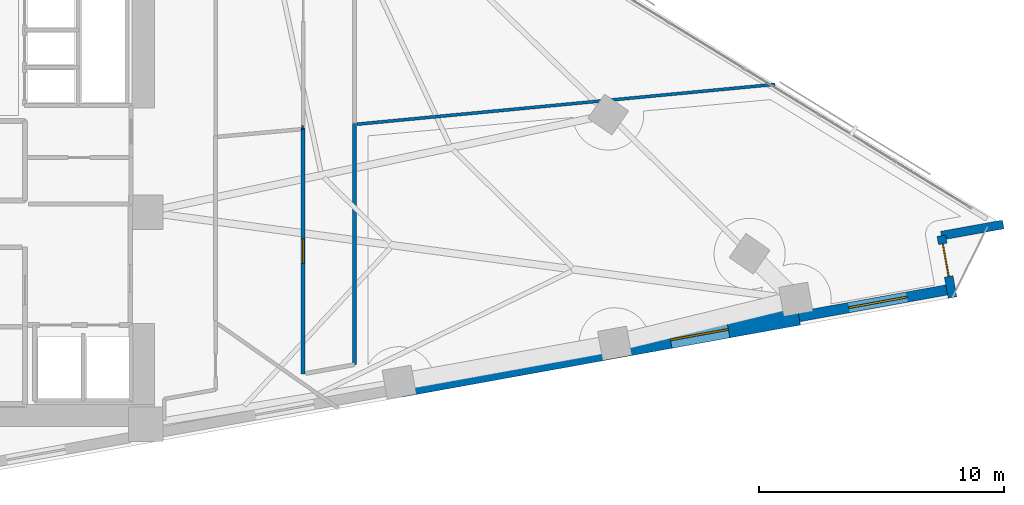
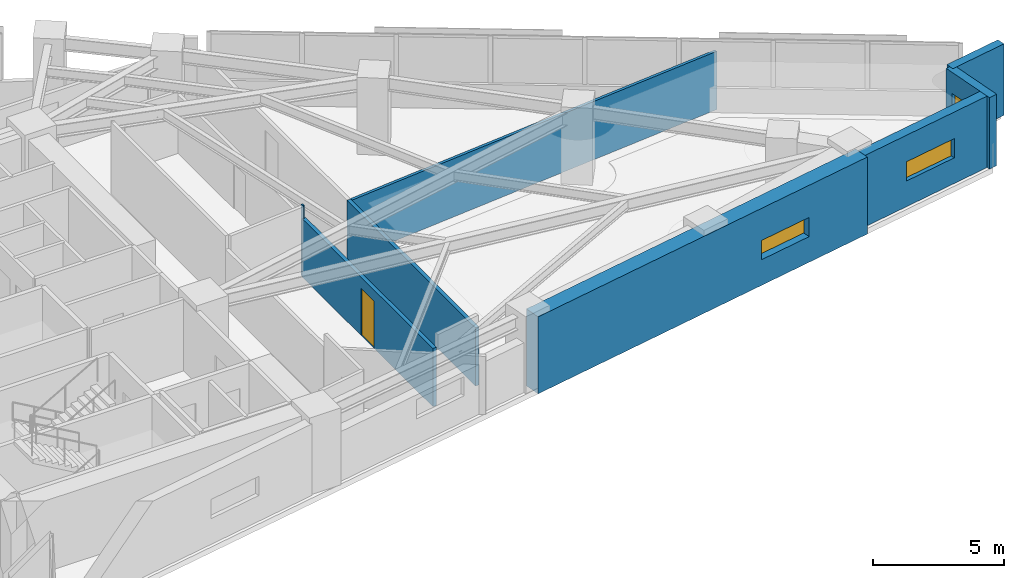
# One storey, part 15 of 18: 8 walls, 2 doors, 2 windows, 4 openings.
"""IFC4 building model written with IfcOpenShell, lengths in metres."""

from ifc_helpers import new_model, si_unit, direction, frame, frame_2d, origin, place, context, subcontext, project, spatial, rectangle, extrude, material, layer, layer_set, type_object, element, fill, save


model = new_model("IFC4")

# Units and contexts
model_context = context("Model", 3, precision=1e-05, world=origin(), true_north=direction((0.0, 1.0)))
body_context = subcontext(model_context, "Body", "Model", "MODEL_VIEW")
ifc_project = project(units=[si_unit("LENGTHUNIT", "METRE"), si_unit("AREAUNIT", "SQUARE_METRE"), si_unit("VOLUMEUNIT", "CUBIC_METRE"), si_unit("PLANEANGLEUNIT", "RADIAN"), si_unit("MASSUNIT", "GRAM", prefix="KILO")], contexts=[model_context])

# Site, building, storey
site_placement = place(None, origin())
site = spatial("IfcSite", under=ifc_project, at=site_placement, CompositionType="ELEMENT")
building_placement = place(site_placement, origin())
building = spatial("IfcBuilding", under=site, at=building_placement, Name="Narakoshi Arena Tower", CompositionType="ELEMENT")
storey_placement = place(building_placement, frame((0.0, 0.0, 102.89990234375)))
storey = spatial("IfcBuildingStorey", under=building, at=storey_placement, Name="L27", CompositionType="ELEMENT", Elevation=102.89990234375)

# Wall, opening, door
ifc_material_1 = material(Name="Gypsum plasterboard fire-rated partition")
ifc_layer_1 = layer(ifc_material_1, 0.1650390625)
ifc_layer_set_1 = layer_set([ifc_layer_1], Name="Gypsum plasterboard fire-rated partition")
wall_type_1 = type_object("IfcWallType", Name="WL-CORR-165", PredefinedType="PARTITIONING", material=ifc_layer_set_1)
wall_1_placement = place(storey_placement, frame((91.9736328125, 46.775390625, 0.0), z_axis=(0.0, 0.0, 1.0), x_axis=(0.0, -1.0, 0.0)))
wall_1 = element("IfcWall", 1, at=wall_1_placement, inside=storey, type_object=wall_type_1, Name="L27 Corridor Partition 04-1", PredefinedType="PARTITIONING", context=body_context, shape_type="SweptSolid", body=[
    extrude(rectangle(XDim=10.025146484375, YDim=0.1650390625, at=frame_2d((5.0126953125, 0.0))), origin(), (0.0, 0.0, 1.0), 2.72509765625),
])
opening_1_placement = place(wall_1_placement, frame((4.512451171875, 0.0, 0.0)))
opening_1 = element("IfcOpeningElement", 2, at=opening_1_placement, cuts=wall_1, Name="Opening D-06", PredefinedType="OPENING", context=body_context, shape_type="SweptSolid", body=[
    extrude(rectangle(XDim=1.0, YDim=2.199951171875, at=frame_2d((0.5, 1.10009765625))), frame((0.0, 0.092529296875, 0.0), z_axis=(0.0, -1.0, 0.0), x_axis=(1.0, 0.0, 0.0)), (0.0, 0.0, 1.0), 0.18505859375),
])
ifc_material_2 = material(Name="Stained oak solid-core timber", Category="wood")
door_type_1 = type_object("IfcDoorType", Name="DR-OFF-1000", OperationType="NOTDEFINED", PredefinedType="DOOR", material=ifc_material_2)
door_1_placement = place(opening_1_placement, frame((1.0, 0.0, 0.0), z_axis=(0.0, 0.0, 1.0), x_axis=(-1.0, 0.0, 0.0)))
door_1 = element("IfcDoor", 3, at=door_1_placement, inside=storey, type_object=door_type_1, Name="DR-L27-018", OperationType="SINGLE_SWING_RIGHT", OverallHeight=2.199951171875, OverallWidth=1.0, PredefinedType="DOOR", context=body_context, shape_type="SweptSolid", body=[
    extrude(rectangle(XDim=1.0, YDim=2.199951171875, at=frame_2d((0.5, 1.10009765625))), frame((0.0, 0.02490234375, 0.0), z_axis=(0.0, -1.0, 0.0), x_axis=(1.0, 0.0, 0.0)), (0.0, 0.0, 1.0), 0.050048828125),
])
fill(opening_1, door_1)

# Wall
wall_2_placement = place(storey_placement, frame((94.07373046875, 37.130126953125, 0.0), z_axis=(0.0, 0.0, 1.0), x_axis=(0.0, 1.0, 0.0)))
element("IfcWall", 4, at=wall_2_placement, inside=storey, type_object=wall_type_1, Name="L27 Corridor Partition 04-2", PredefinedType="PARTITIONING", context=body_context, shape_type="SweptSolid", body=[
    extrude(rectangle(XDim=9.83447265625, YDim=0.1650390625, at=frame_2d((4.917236328125, 0.0))), origin(), (0.0, 0.0, 1.0), 2.72509765625),
])

# Wall, opening, window
ifc_material_3 = material(Name="Concrete C60/75", Category="concrete")
ifc_layer_2 = layer(ifc_material_3, 0.699951171875)
ifc_layer_set_2 = layer_set([ifc_layer_2], Name="Concrete C60/75")
wall_type_2 = type_object("IfcWallType", Name="WL-LEG-700", PredefinedType="SHEAR", material=ifc_layer_set_2)
wall_3_placement = place(storey_placement, frame((95.93798828125, 36.14599609375, -0.260009765625), z_axis=(0.0, 0.0, 1.0), x_axis=(0.984038488288, 0.177955762952, 0.0)))
wall_3 = element("IfcWall", 5, at=wall_3_placement, inside=storey, type_object=wall_type_2, Name="L27 Architectural Concrete Structural Wall LEGA-3", PredefinedType="SHEAR", context=body_context, shape_type="SweptSolid", body=[
    extrude(rectangle(XDim=16.524658203125, YDim=0.699951171875, at=frame_2d((8.26220703125, 0.0))), origin(), (0.0, 0.0, 1.0), 3.60009765625),
])
opening_2_placement = place(wall_3_placement, frame((11.199951171875, 0.0, 1.199951171875)))
opening_2 = element("IfcOpeningElement", 6, at=opening_2_placement, cuts=wall_3, Name="Opening WN-01", PredefinedType="OPENING", context=body_context, shape_type="SweptSolid", body=[
    extrude(rectangle(XDim=2.39990234375, YDim=0.89990234375, at=frame_2d((1.199951171875, 0.449951171875))), frame((0.0, 0.35986328125, 0.0), z_axis=(0.0, -1.0, 0.0), x_axis=(1.0, 0.0, 0.0)), (0.0, 0.0, 1.0), 0.719970703125),
])
ifc_material_4 = material(Name="Bronze-tinted low-E laminated glass", Category="glass")
window_type = type_object("IfcWindowType", Name="WIN-SLT-24x09", PartitioningType="SINGLE_PANEL", PredefinedType="WINDOW", material=ifc_material_4)
window_1_placement = place(opening_2_placement, origin())
window_1 = element("IfcWindow", 7, at=window_1_placement, inside=storey, type_object=window_type, Name="L27 LEGA3 Horizontal Slot Window 1", OverallHeight=0.89990234375, OverallWidth=2.39990234375, PartitioningType="SINGLE_PANEL", PredefinedType="WINDOW", context=body_context, shape_type="SweptSolid", body=[
    extrude(rectangle(XDim=2.39990234375, YDim=0.89990234375, at=frame_2d((1.199951171875, 0.449951171875))), frame((0.0, 0.030029296875, 0.0), z_axis=(0.0, -1.0, 0.0), x_axis=(1.0, 0.0, 0.0)), (0.0, 0.0, 1.0), 0.06005859375),
])
fill(opening_2, window_1)

# Wall
ifc_layer_3 = layer(ifc_material_1, 0.125)
ifc_layer_set_3 = layer_set([ifc_layer_3], Name="Gypsum plasterboard fire-rated partition")
wall_type_3 = type_object("IfcWallType", Name="WL-PART-125", PredefinedType="PARTITIONING", material=ifc_layer_set_3)
wall_4_placement = place(storey_placement, frame((94.168212890625, 46.937744140625, 0.0), z_axis=(0.0, 0.0, 1.0), x_axis=(0.995492462664, 0.094840691577, 0.0)))
element("IfcWall", 8, at=wall_4_placement, inside=storey, type_object=wall_type_3, Name="L27 Inter-Room Partition 04-05", PredefinedType="PARTITIONING", context=body_context, shape_type="SweptSolid", body=[
    extrude(rectangle(XDim=17.136474609375, YDim=0.125, at=frame_2d((8.568359375, 0.0))), origin(), (0.0, 0.0, 1.0), 2.72509765625),
])

# Wall, opening, window
ifc_material_5 = material(Name="Precast concrete C45/55", Category="concrete")
ifc_layer_4 = layer(ifc_material_5, 0.419921875)
ifc_layer_set_4 = layer_set([ifc_layer_4], Name="Precast concrete C45/55")
wall_type_4 = type_object("IfcWallType", Name="WL-POD-420", PredefinedType="SOLIDWALL", material=ifc_layer_set_4)
wall_5_placement = place(storey_placement, frame((112.198974609375, 39.086669921875, 0.0), z_axis=(0.0, 0.0, 1.0), x_axis=(0.984042888215, 0.177931431042, 0.0)))
wall_5 = element("IfcWall", 9, at=wall_5_placement, inside=storey, type_object=wall_type_4, Name="L27 Architectural Concrete Facade Wall LEGA-4", PredefinedType="SOLIDWALL", context=body_context, shape_type="SweptSolid", body=[
    extrude(rectangle(XDim=6.30615234375, YDim=0.419921875, at=frame_2d((3.153076171875, 0.0))), origin(), (0.0, 0.0, 1.0), 3.340087890625),
])
opening_3_placement = place(wall_5_placement, frame((2.0751953125, 0.0, 1.199951171875)))
opening_3 = element("IfcOpeningElement", 10, at=opening_3_placement, cuts=wall_5, Name="Opening WN-01", PredefinedType="OPENING", context=body_context, shape_type="SweptSolid", body=[
    extrude(rectangle(XDim=2.39990234375, YDim=0.89990234375, at=frame_2d((1.199951171875, 0.449951171875))), frame((0.0, 0.219970703125, 0.0), z_axis=(0.0, -1.0, 0.0), x_axis=(1.0, 0.0, 0.0)), (0.0, 0.0, 1.0), 0.43994140625),
])
window_2_placement = place(opening_3_placement, origin())
window_2 = element("IfcWindow", 11, at=window_2_placement, inside=storey, type_object=window_type, Name="L27 LEGA4 Horizontal Slot Window 1", OverallHeight=0.89990234375, OverallWidth=2.39990234375, PartitioningType="SINGLE_PANEL", PredefinedType="WINDOW", context=body_context, shape_type="SweptSolid", body=[
    extrude(rectangle(XDim=2.39990234375, YDim=0.89990234375, at=frame_2d((1.199951171875, 0.449951171875))), frame((0.0, 0.030029296875, 0.0), z_axis=(0.0, -1.0, 0.0), x_axis=(1.0, 0.0, 0.0)), (0.0, 0.0, 1.0), 0.06005859375),
])
fill(opening_3, window_2)

# Wall, opening, door
wall_6_placement = place(storey_placement, frame((118.466796875, 39.8642578125, 0.0), z_axis=(0.0, 0.0, 1.0), x_axis=(-0.177897493713, 0.984049024048, 0.0)))
wall_6 = element("IfcWall", 12, at=wall_6_placement, inside=storey, type_object=wall_type_4, Name="L27 Re-Entrant Corner Notch Wall NTE-1", PredefinedType="SOLIDWALL", context=body_context, shape_type="SweptSolid", body=[
    extrude(rectangle(XDim=2.56640625, YDim=0.360107421875, at=frame_2d((1.283203125, 0.0))), origin(), (0.0, 0.0, 1.0), 3.340087890625),
])
opening_4_placement = place(wall_6_placement, frame((0.876220703125, 0.0, 0.0)))
opening_4 = element("IfcOpeningElement", 13, at=opening_4_placement, cuts=wall_6, Name="Opening D-12", PredefinedType="OPENING", context=body_context, shape_type="SweptSolid", body=[
    extrude(rectangle(XDim=1.35009765625, YDim=2.35009765625, at=frame_2d((0.675048828125, 1.175048828125))), frame((0.0, 0.18994140625, 0.0), z_axis=(0.0, -1.0, 0.0), x_axis=(1.0, 0.0, 0.0)), (0.0, 0.0, 1.0), 0.380126953125),
])
ifc_material_6 = material(Name="Anodised bronze aluminium 6063-T6", Category="aluminium")
door_type_2 = type_object("IfcDoorType", Name="DR-LOG-1350", OperationType="DOUBLE_DOOR_SLIDING", PredefinedType="DOOR", material=ifc_material_6)
door_2_placement = place(opening_4_placement, origin())
door_2 = element("IfcDoor", 14, at=door_2_placement, inside=storey, type_object=door_type_2, Name="DR-L27-001", OperationType="DOUBLE_DOOR_SLIDING", OverallHeight=2.35009765625, OverallWidth=1.35009765625, PredefinedType="DOOR", context=body_context, shape_type="SweptSolid", body=[
    extrude(rectangle(XDim=1.35009765625, YDim=2.35009765625, at=frame_2d((0.675048828125, 1.175048828125))), frame((0.0, 0.02490234375, 0.0), z_axis=(0.0, -1.0, 0.0), x_axis=(1.0, 0.0, 0.0)), (0.0, 0.0, 1.0), 0.050048828125),
])
fill(opening_4, door_2)

# Walls
wall_7_placement = place(storey_placement, frame((118.01025390625, 42.3896484375, 0.0), z_axis=(0.0, 0.0, 1.0), x_axis=(0.984046012923, 0.177914149102, 0.0)))
element("IfcWall", 15, at=wall_7_placement, inside=storey, type_object=wall_type_4, Name="L27 Re-Entrant Corner Notch Wall NTE-2", PredefinedType="SOLIDWALL", context=body_context, shape_type="SweptSolid", body=[
    extrude(rectangle(XDim=2.566162109375, YDim=0.360107421875, at=frame_2d((1.283203125, 0.0))), origin(), (0.0, 0.0, 1.0), 3.340087890625),
])
ifc_material_7 = material(Name="Moisture-resistant cement-board partition")
ifc_layer_5 = layer(ifc_material_7, 0.14501953125)
ifc_layer_set_5 = layer_set([ifc_layer_5], Name="Moisture-resistant cement-board partition")
wall_type_5 = type_object("IfcWallType", Name="WL-WET-145", PredefinedType="PARTITIONING", material=ifc_layer_set_5)
wall_8_placement = place(storey_placement, frame((91.9736328125, 46.79931640625, 0.0), z_axis=(0.0, 0.0, 1.0), x_axis=(-0.995992565186, -0.089436067078, 0.0)))
element("IfcWall", 16, at=wall_8_placement, inside=storey, type_object=wall_type_5, Name="L27 Corridor Partition 06-6", PredefinedType="PARTITIONING", context=body_context, shape_type="SweptSolid", body=[
    extrude(rectangle(XDim=0.06005859375, YDim=0.14501953125, at=frame_2d((0.030029296875, 0.0))), origin(), (0.0, 0.0, 1.0), 3.340087890625),
])

save(model, "model.ifc")
